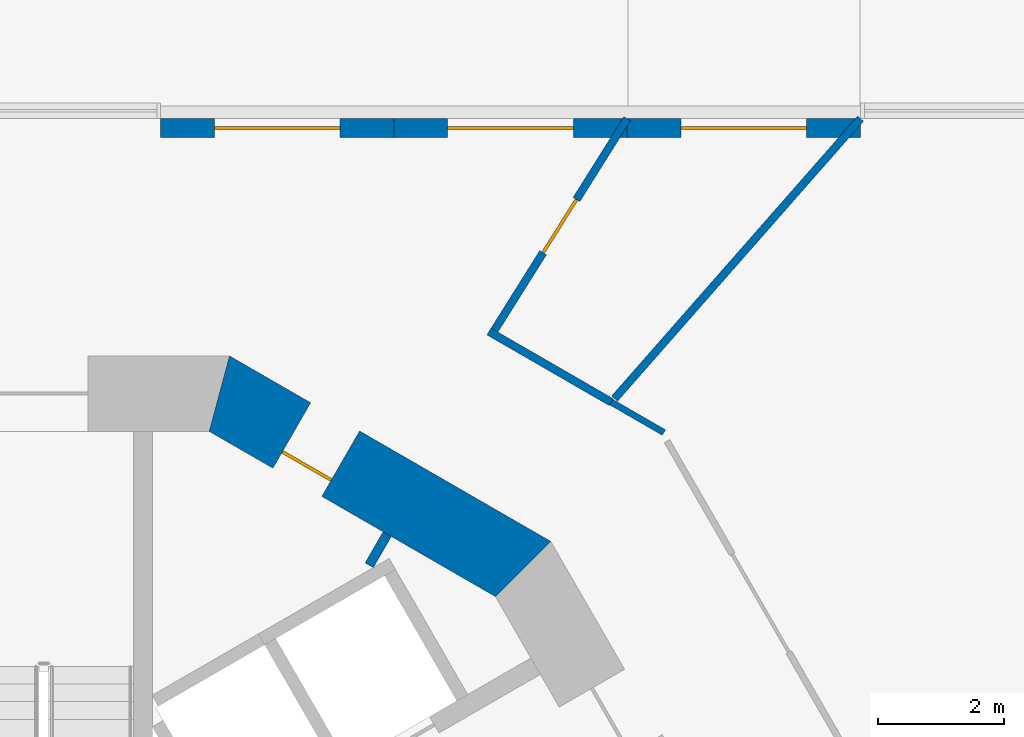
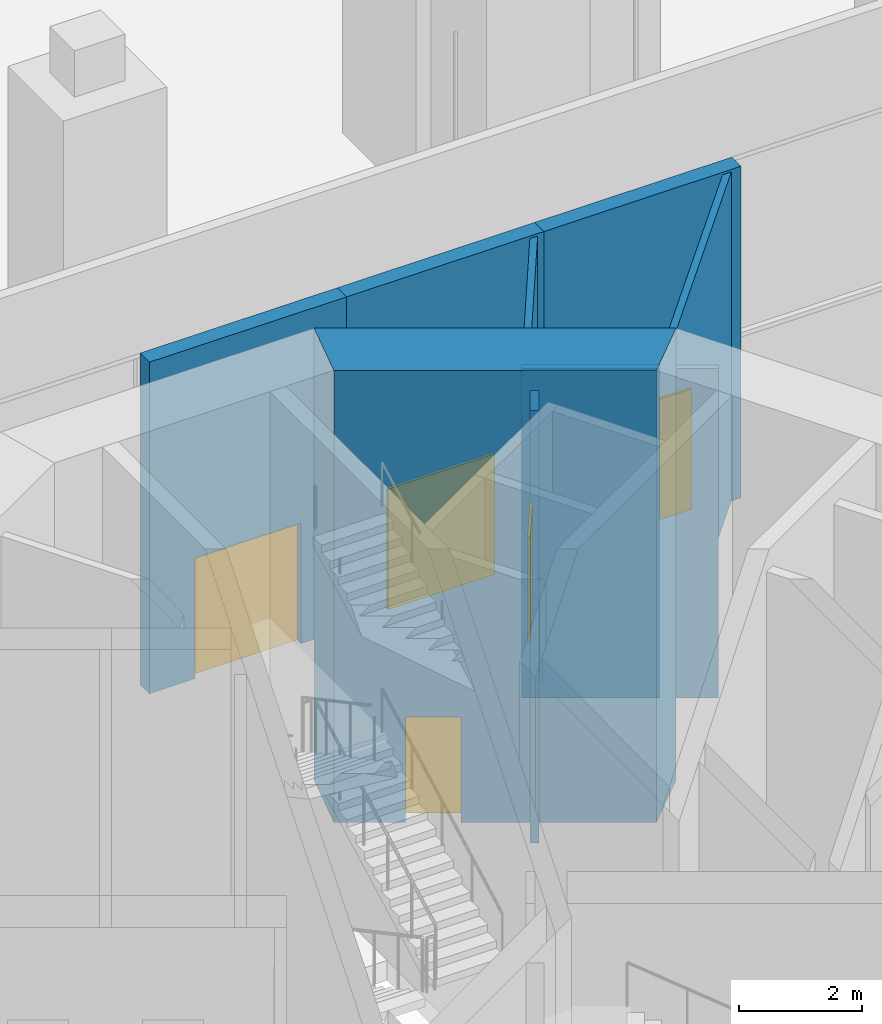
# One storey, part 10 of 26: 9 walls, 5 doors, 5 openings.
"""IFC4 building model written with IfcOpenShell, lengths in metres."""

from ifc_helpers import new_model, si_unit, direction, frame, frame_2d, origin, place, context, subcontext, project, spatial, polyline, rectangle, outline, extrude, material, layer, layer_set, type_object, element, fill, save


model = new_model("IFC4")

# Units and contexts
model_context = context("Model", 3, precision=1e-05, world=origin(), true_north=direction((0.0, 1.0)))
body_context = subcontext(model_context, "Body", "Model", "MODEL_VIEW")
ifc_project = project(units=[si_unit("LENGTHUNIT", "METRE"), si_unit("AREAUNIT", "SQUARE_METRE"), si_unit("VOLUMEUNIT", "CUBIC_METRE"), si_unit("PLANEANGLEUNIT", "RADIAN"), si_unit("MASSUNIT", "GRAM", prefix="KILO")], contexts=[model_context])

# Site, building, storey
site_placement = place(None, origin())
site = spatial("IfcSite", under=ifc_project, at=site_placement, CompositionType="ELEMENT")
building_placement = place(site_placement, origin())
building = spatial("IfcBuilding", under=site, at=building_placement, Name="Trine Commons Tower", CompositionType="ELEMENT")
storey_placement = place(building_placement, origin())
storey = spatial("IfcBuildingStorey", under=building, at=storey_placement, Name="L00", CompositionType="ELEMENT", Elevation=0.0)

# Wall
ifc_material_1 = material(Name="Plasterboard partition on steel studs", Category="steel")
ifc_layer_1 = layer(ifc_material_1, 0.14990234375)
ifc_layer_set_1 = layer_set([ifc_layer_1], Name="Plasterboard partition on steel studs")
wall_type_1 = type_object("IfcWallType", Name="Core room partition 150 mm, EI 60", PredefinedType="PARTITIONING", material=ifc_layer_set_1)
wall_1_placement = place(storey_placement, frame((85.4609375, 70.676025390625, 0.0), z_axis=(0.0, 0.0, 1.0), x_axis=(-0.500042804318, -0.866000689289, 0.0)))
element("IfcWall", 1, at=wall_1_placement, inside=storey, type_object=wall_type_1, Name="Core room partition L00", PredefinedType="PARTITIONING", context=body_context, shape_type="SweptSolid", body=[
    extrude(rectangle(XDim=0.57177734375, YDim=0.14990234375, at=frame_2d((0.285888671875, 0.0))), origin(), (0.0, 0.0, 1.0), 8.60009765625),
])

# Wall, opening, door
ifc_material_2 = material(Name="Stone-clad concrete C40/50", Category="masonry")
ifc_layer_2 = layer(ifc_material_2, 0.300048828125)
ifc_layer_set_2 = layer_set([ifc_layer_2], Name="Stone-clad concrete C40/50")
wall_type_2 = type_object("IfcWallType", Name="Entrance portal wall 300 mm, stone-clad concrete", PredefinedType="SOLIDWALL", material=ifc_layer_set_2)
wall_2_placement = place(storey_placement, frame((81.855712890625, 77.134521484375, 0.0), z_axis=(0.0, 0.0, 1.0), x_axis=(1.0, 0.0, 0.0)))
wall_2 = element("IfcWall", 2, at=wall_2_placement, inside=storey, type_object=wall_type_2, Name="Entrance portal X3", PredefinedType="SOLIDWALL", context=body_context, shape_type="SweptSolid", body=[
    extrude(rectangle(XDim=3.711181640625, YDim=0.300048828125, at=frame_2d((1.85546875, 0.0))), origin(), (0.0, 0.0, 1.0), 6.60009765625),
])
opening_1_placement = place(wall_2_placement, frame((0.855712890625, 0.0, 0.0)))
opening_1 = element("IfcOpeningElement", 3, at=opening_1_placement, cuts=wall_2, Name="Opening D-G0X3", PredefinedType="OPENING", context=body_context, shape_type="SweptSolid", body=[
    extrude(rectangle(XDim=2.0, YDim=2.39990234375, at=frame_2d((1.0, 1.199951171875))), frame((0.0, 0.159912109375, 0.0), z_axis=(0.0, -1.0, 0.0), x_axis=(1.0, 0.0, 0.0)), (0.0, 0.0, 1.0), 0.320068359375),
])
ifc_material_3 = material(Name="Painted timber", Category="wood")
door_type_1 = type_object("IfcDoorType", Name="Double swing door 2000x2400, not rated", OperationType="DOUBLE_DOOR_DOUBLE_SWING", PredefinedType="DOOR", material=ifc_material_3)
door_1_placement = place(opening_1_placement, origin())
door_1 = element("IfcDoor", 4, at=door_1_placement, inside=storey, type_object=door_type_1, Name="Door D-G0X3", OperationType="DOUBLE_DOOR_DOUBLE_SWING", OverallHeight=2.39990234375, OverallWidth=2.0, PredefinedType="DOOR", context=body_context, shape_type="SweptSolid", body=[
    extrude(rectangle(XDim=2.0, YDim=2.39990234375, at=frame_2d((1.0, 1.199951171875))), frame((0.0, 0.02490234375, 0.0), z_axis=(0.0, -1.0, 0.0), x_axis=(1.0, 0.0, 0.0)), (0.0, 0.0, 1.0), 0.050048828125),
])
fill(opening_1, door_1)

wall_3_placement = place(storey_placement, frame((85.56689453125, 77.134521484375, 0.0), z_axis=(0.0, 0.0, 1.0), x_axis=(1.0, 0.0, 0.0)))
wall_3 = element("IfcWall", 5, at=wall_3_placement, inside=storey, type_object=wall_type_2, Name="Entrance portal X4", PredefinedType="SOLIDWALL", context=body_context, shape_type="SweptSolid", body=[
    extrude(rectangle(XDim=3.711181640625, YDim=0.300048828125, at=frame_2d((1.85546875, 0.0))), origin(), (0.0, 0.0, 1.0), 6.60009765625),
])
opening_2_placement = place(wall_3_placement, frame((0.855712890625, 0.0, 0.0)))
opening_2 = element("IfcOpeningElement", 6, at=opening_2_placement, cuts=wall_3, Name="Opening D-G0X4", PredefinedType="OPENING", context=body_context, shape_type="SweptSolid", body=[
    extrude(rectangle(XDim=2.0, YDim=2.39990234375, at=frame_2d((1.0, 1.199951171875))), frame((0.0, 0.159912109375, 0.0), z_axis=(0.0, -1.0, 0.0), x_axis=(1.0, 0.0, 0.0)), (0.0, 0.0, 1.0), 0.320068359375),
])
door_2_placement = place(opening_2_placement, origin())
door_2 = element("IfcDoor", 7, at=door_2_placement, inside=storey, type_object=door_type_1, Name="Door D-G0X4", OperationType="DOUBLE_DOOR_DOUBLE_SWING", OverallHeight=2.39990234375, OverallWidth=2.0, PredefinedType="DOOR", context=body_context, shape_type="SweptSolid", body=[
    extrude(rectangle(XDim=2.0, YDim=2.39990234375, at=frame_2d((1.0, 1.199951171875))), frame((0.0, 0.02490234375, 0.0), z_axis=(0.0, -1.0, 0.0), x_axis=(1.0, 0.0, 0.0)), (0.0, 0.0, 1.0), 0.050048828125),
])
fill(opening_2, door_2)

wall_4_placement = place(storey_placement, frame((89.278076171875, 77.134521484375, 0.0), z_axis=(0.0, 0.0, 1.0), x_axis=(1.0, 0.0, 0.0)))
wall_4 = element("IfcWall", 8, at=wall_4_placement, inside=storey, type_object=wall_type_2, Name="Entrance portal E1", PredefinedType="SOLIDWALL", context=body_context, shape_type="SweptSolid", body=[
    extrude(rectangle(XDim=3.711181640625, YDim=0.300048828125, at=frame_2d((1.85546875, 0.0))), origin(), (0.0, 0.0, 1.0), 6.60009765625),
])
opening_3_placement = place(wall_4_placement, frame((0.855712890625, 0.0, 0.0)))
opening_3 = element("IfcOpeningElement", 9, at=opening_3_placement, cuts=wall_4, Name="Opening D-G0E1", PredefinedType="OPENING", context=body_context, shape_type="SweptSolid", body=[
    extrude(rectangle(XDim=2.0, YDim=2.39990234375, at=frame_2d((1.0, 1.199951171875))), frame((0.0, 0.159912109375, 0.0), z_axis=(0.0, -1.0, 0.0), x_axis=(1.0, 0.0, 0.0)), (0.0, 0.0, 1.0), 0.320068359375),
])
door_3_placement = place(opening_3_placement, origin())
door_3 = element("IfcDoor", 10, at=door_3_placement, inside=storey, type_object=door_type_1, Name="Door D-G0E1", OperationType="DOUBLE_DOOR_DOUBLE_SWING", OverallHeight=2.39990234375, OverallWidth=2.0, PredefinedType="DOOR", context=body_context, shape_type="SweptSolid", body=[
    extrude(rectangle(XDim=2.0, YDim=2.39990234375, at=frame_2d((1.0, 1.199951171875))), frame((0.0, 0.02490234375, 0.0), z_axis=(0.0, -1.0, 0.0), x_axis=(1.0, 0.0, 0.0)), (0.0, 0.0, 1.0), 0.050048828125),
])
fill(opening_3, door_3)

# Wall
ifc_material_4 = material(Name="Plasterboard on steel stud", Category="steel")
ifc_layer_3 = layer(ifc_material_4, 0.10009765625)
ifc_layer_set_3 = layer_set([ifc_layer_3], Name="Plasterboard on steel stud")
wall_type_3 = type_object("IfcWallType", Name="Partition wall 100 mm stud, not rated", PredefinedType="PARTITIONING", material=ifc_layer_set_3)
wall_5_placement = place(storey_placement, frame((89.02685546875, 72.774658203125, 0.0), z_axis=(0.0, 0.0, 1.0), x_axis=(0.866067447098, -0.499927171774, 0.0)))
element("IfcWall", 11, at=wall_5_placement, inside=storey, type_object=wall_type_3, Name="Partition G0020", PredefinedType="PARTITIONING", context=body_context, shape_type="SweptSolid", body=[
    extrude(rectangle(XDim=0.963623046875, YDim=0.10009765625, at=frame_2d((0.48193359375, 0.0))), origin(), (0.0, 0.0, 1.0), 6.550048828125),
])

# Wall, opening, door
ifc_material_5 = material(Name="Concrete C80/95", Category="concrete")
ifc_layer_4 = layer(ifc_material_5, 1.199951171875)
ifc_layer_set_4 = layer_set([ifc_layer_4], Name="Concrete C80/95")
wall_type_4 = type_object("IfcWallType", Name="RC shear wall 1200 mm, C80/95", PredefinedType="SHEAR", material=ifc_layer_set_4)
wall_6_placement = place(storey_placement, frame((87.760986328125, 70.04150390625, 0.0), z_axis=(0.0, 0.0, 1.0), x_axis=(-0.866037463336, 0.499979111662, 0.0)))
wall_6 = element("IfcWall", 12, at=wall_6_placement, inside=storey, type_object=wall_type_4, Name="Core wall CWA-03 L00", PredefinedType="SHEAR", context=body_context, shape_type="SweptSolid", body=[
    extrude(outline(polyline([(0.0, -0.60009765625), (5.901123046875, -0.60009765625), (5.57958984375, 0.60009765625), (0.321533203125, 0.60009765625), (0.0, -0.60009765625)])), origin(), (0.0, 0.0, 1.0), 9.0),
])
opening_4_placement = place(wall_6_placement, frame((3.509521484375, 0.0, 0.0)))
opening_4 = element("IfcOpeningElement", 13, at=opening_4_placement, cuts=wall_6, Name="Opening K03.11", PredefinedType="OPENING", context=body_context, shape_type="SweptSolid", body=[
    extrude(rectangle(XDim=0.89990234375, YDim=2.10009765625, at=frame_2d((0.449951171875, 1.050048828125))), frame((0.0, 0.60986328125, 0.0), z_axis=(0.0, -1.0, 0.0), x_axis=(1.0, 0.0, 0.0)), (0.0, 0.0, 1.0), 1.219970703125),
])
ifc_material_6 = material(Name="Steel door leaf, fire-rated", Category="steel")
door_type_2 = type_object("IfcDoorType", Name="Core room door, single leaf 900 x 2100, FD30S", OperationType="SINGLE_SWING_LEFT", PredefinedType="DOOR", material=ifc_material_6)
door_4_placement = place(opening_4_placement, origin())
door_4 = element("IfcDoor", 14, at=door_4_placement, inside=storey, type_object=door_type_2, Name="Door to Accessible WC L00", OperationType="SINGLE_SWING_RIGHT", OverallHeight=2.10009765625, OverallWidth=0.89990234375, PredefinedType="DOOR", context=body_context, shape_type="SweptSolid", body=[
    extrude(rectangle(XDim=0.89990234375, YDim=2.10009765625, at=frame_2d((0.449951171875, 1.050048828125))), frame((0.0, 0.3251953125, 0.0), z_axis=(0.0, -1.0, 0.0), x_axis=(1.0, 0.0, 0.0)), (0.0, 0.0, 1.0), 0.050048828125),
])
fill(opening_4, door_4)

# Wall
ifc_layer_5 = layer(ifc_material_4, 0.125)
ifc_layer_set_5 = layer_set([ifc_layer_5], Name="Plasterboard on steel stud")
wall_type_5 = type_object("IfcWallType", Name="Wet wall 125 mm stud, not rated", PredefinedType="PARTITIONING", material=ifc_layer_set_5)
wall_7_placement = place(storey_placement, frame((87.079345703125, 73.89892578125, 0.0), z_axis=(0.0, 0.0, 1.0), x_axis=(0.866030125237, -0.499991822116, 0.0)))
element("IfcWall", 15, at=wall_7_placement, inside=storey, type_object=wall_type_5, Name="Partition G0018", PredefinedType="PARTITIONING", context=body_context, shape_type="SweptSolid", body=[
    extrude(rectangle(XDim=2.2490234375, YDim=0.125, at=frame_2d((1.12451171875, 0.0))), origin(), (0.0, 0.0, 1.0), 6.550048828125),
])

# Wall, opening, door
wall_8_placement = place(storey_placement, frame((89.278076171875, 77.28466796875, 0.0), z_axis=(0.0, 0.0, 1.0), x_axis=(-0.531551644424, -0.847025884675, 0.0)))
wall_8 = element("IfcWall", 16, at=wall_8_placement, inside=storey, type_object=wall_type_5, Name="Partition G0019", PredefinedType="PARTITIONING", context=body_context, shape_type="SweptSolid", body=[
    extrude(rectangle(XDim=3.96923828125, YDim=0.125, at=frame_2d((1.984619140625, 0.0))), origin(), (0.0, 0.0, 1.0), 6.550048828125),
])
opening_5_placement = place(wall_8_placement, frame((1.51708984375, 0.0, 0.0)))
opening_5 = element("IfcOpeningElement", 17, at=opening_5_placement, cuts=wall_8, Name="Opening D-G007", PredefinedType="OPENING", context=body_context, shape_type="SweptSolid", body=[
    extrude(rectangle(XDim=1.0, YDim=2.10009765625, at=frame_2d((0.5, 1.050048828125))), frame((0.0, 0.072509765625, 0.0), z_axis=(0.0, -1.0, 0.0), x_axis=(1.0, 0.0, 0.0)), (0.0, 0.0, 1.0), 0.14501953125),
])
door_type_3 = type_object("IfcDoorType", Name="Single swing door 1000x2100, not rated", OperationType="SINGLE_SWING_LEFT", PredefinedType="DOOR", material=ifc_material_3)
door_5_placement = place(opening_5_placement, origin())
door_5 = element("IfcDoor", 18, at=door_5_placement, inside=storey, type_object=door_type_3, Name="Door D-G007", OperationType="SINGLE_SWING_LEFT", OverallHeight=2.10009765625, OverallWidth=1.0, PredefinedType="DOOR", context=body_context, shape_type="SweptSolid", body=[
    extrude(rectangle(XDim=1.0, YDim=2.10009765625, at=frame_2d((0.5, 1.050048828125))), frame((0.0, 0.02490234375, 0.0), z_axis=(0.0, -1.0, 0.0), x_axis=(1.0, 0.0, 0.0)), (0.0, 0.0, 1.0), 0.050048828125),
])
fill(opening_5, door_5)

# Wall
wall_9_placement = place(storey_placement, frame((89.0771484375, 72.831787109375, 0.0), z_axis=(0.0, 0.0, 1.0), x_axis=(0.660016708269, 0.751250920003, 0.0)))
element("IfcWall", 19, at=wall_9_placement, inside=storey, type_object=wall_type_5, Name="Partition G0021", PredefinedType="PARTITIONING", context=body_context, shape_type="SweptSolid", body=[
    extrude(rectangle(XDim=5.92724609375, YDim=0.125, at=frame_2d((2.963623046875, 0.0))), origin(), (0.0, 0.0, 1.0), 6.550048828125),
])

save(model, "model.ifc")
